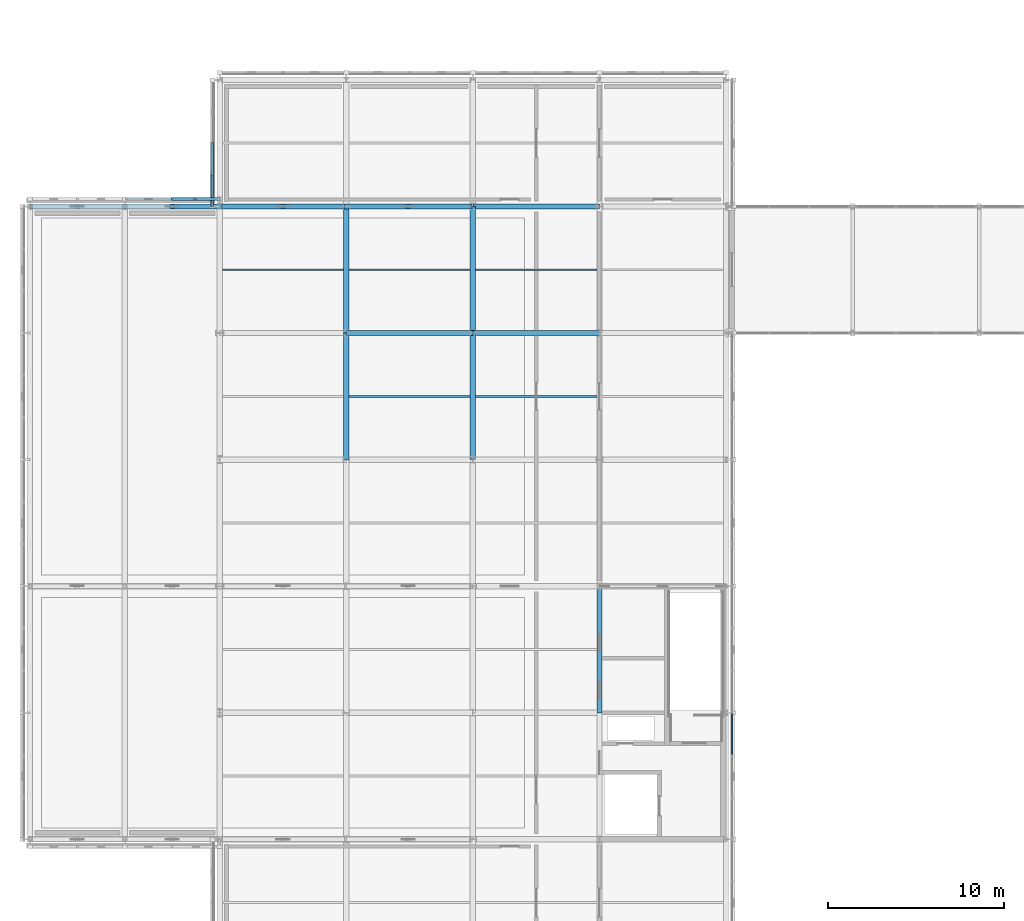
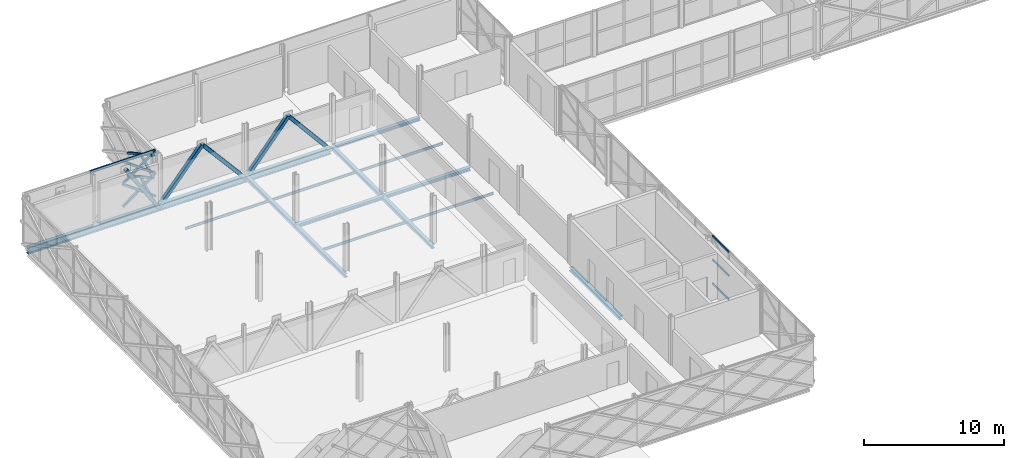
# One storey, part 46 of 103: 19 members, 14 beams, 1 element without a shape of its own.
"""IFC4 building model written with IfcOpenShell, lengths in metres."""

from ifc_helpers import new_model, si_unit, direction, frame, origin, origin_2d, place, context, subcontext, project, spatial, rectangle, hollow_rectangle, i_section, extrude, material, material_profile, profile_set, type_object, element, aggregate, save


model = new_model("IFC4")

# Units and contexts
model_context = context("Model", 3, precision=1e-05, world=origin(), true_north=direction((0.0, 1.0)))
body_context = subcontext(model_context, "Body", "Model", "MODEL_VIEW")
ifc_project = project(units=[si_unit("LENGTHUNIT", "METRE"), si_unit("AREAUNIT", "SQUARE_METRE"), si_unit("VOLUMEUNIT", "CUBIC_METRE"), si_unit("PLANEANGLEUNIT", "RADIAN"), si_unit("MASSUNIT", "GRAM", prefix="KILO")], contexts=[model_context])

# Site, building, storey
site_placement = place(None, origin())
site = spatial("IfcSite", under=ifc_project, at=site_placement, CompositionType="ELEMENT")
building_placement = place(site_placement, origin())
building = spatial("IfcBuilding", under=site, at=building_placement, Name="Zlatovets Crest Museum", CompositionType="ELEMENT")
storey_placement = place(building_placement, frame((0.0, 0.0, 12.89990234375)))
storey = spatial("IfcBuildingStorey", under=building, at=storey_placement, Name="L03", CompositionType="ELEMENT", Elevation=12.89990234375)

# Beams
ifc_material_1 = material(Name="Structural steel S355J2", Category="steel")
ifc_material_profile_1 = material_profile(ifc_material_1, i_section(OverallWidth=0.300048828125, OverallDepth=0.31005859375, WebThickness=0.009033203125, FlangeThickness=0.015380859375, FilletRadius=0.027099609375, at=origin_2d()), Name="HEA 320")
ifc_profile_set_1 = profile_set([ifc_material_profile_1], Name="Structural steel S355J2")
beam_type_1 = type_object("IfcBeamType", Name="Beam_B-04", PredefinedType="BEAM", material=ifc_profile_set_1)
beam_1_placement = place(storey_placement, frame((14.39990234375, 79.199951171875, -0.39501953125), z_axis=(0.0, 1.0, 0.0), x_axis=(-1.0, 0.0, 0.0)))
element("IfcBeam", 1, at=beam_1_placement, inside=storey, type_object=beam_type_1, Name="V4 L03 Grid Beam B-04", PredefinedType="BEAM", context=body_context, shape_type="SweptSolid", body=[
    extrude(i_section(OverallWidth=0.300048828125, OverallDepth=0.31005859375, WebThickness=0.009033203125, FlangeThickness=0.015380859375, FilletRadius=0.027099609375, at=origin_2d()), origin(), (0.0, 0.0, 1.0), 7.199951171875),
])
beam_2_placement = place(storey_placement, frame((14.39990234375, 86.39990234375, -0.39501953125), z_axis=(0.0, 1.0, 0.0), x_axis=(-1.0, 0.0, 0.0)))
element("IfcBeam", 2, at=beam_2_placement, inside=storey, type_object=beam_type_1, Name="V4 L03 Grid Beam B-04", PredefinedType="BEAM", context=body_context, shape_type="SweptSolid", body=[
    extrude(i_section(OverallWidth=0.300048828125, OverallDepth=0.31005859375, WebThickness=0.009033203125, FlangeThickness=0.015380859375, FilletRadius=0.027099609375, at=origin_2d()), origin(), (0.0, 0.0, 1.0), 7.2001953125),
])
beam_3_placement = place(storey_placement, frame((21.60009765625, 79.199951171875, -0.39501953125), z_axis=(0.0, 1.0, 0.0), x_axis=(-1.0, 0.0, 0.0)))
element("IfcBeam", 3, at=beam_3_placement, inside=storey, type_object=beam_type_1, Name="V4 L03 Grid Beam B-04", PredefinedType="BEAM", context=body_context, shape_type="SweptSolid", body=[
    extrude(i_section(OverallWidth=0.300048828125, OverallDepth=0.31005859375, WebThickness=0.009033203125, FlangeThickness=0.015380859375, FilletRadius=0.027099609375, at=origin_2d()), origin(), (0.0, 0.0, 1.0), 7.199951171875),
])
beam_4_placement = place(storey_placement, frame((21.60009765625, 86.39990234375, -0.39501953125), z_axis=(0.0, 1.0, 0.0), x_axis=(-1.0, 0.0, 0.0)))
element("IfcBeam", 4, at=beam_4_placement, inside=storey, type_object=beam_type_1, Name="V4 L03 Grid Beam B-04", PredefinedType="BEAM", context=body_context, shape_type="SweptSolid", body=[
    extrude(i_section(OverallWidth=0.300048828125, OverallDepth=0.31005859375, WebThickness=0.009033203125, FlangeThickness=0.015380859375, FilletRadius=0.027099609375, at=origin_2d()), origin(), (0.0, 0.0, 1.0), 7.2001953125),
])
beam_5_placement = place(storey_placement, frame((28.800048828125, 64.800048828125, -0.39501953125), z_axis=(0.0, 1.0, 0.0), x_axis=(-1.0, 0.0, 0.0)))
element("IfcBeam", 5, at=beam_5_placement, inside=storey, type_object=beam_type_1, Name="V4 L03 Grid Beam B-04", PredefinedType="BEAM", context=body_context, shape_type="SweptSolid", body=[
    extrude(i_section(OverallWidth=0.300048828125, OverallDepth=0.31005859375, WebThickness=0.009033203125, FlangeThickness=0.015380859375, FilletRadius=0.027099609375, at=origin_2d()), origin(), (0.0, 0.0, 1.0), 7.199951171875),
])
ifc_material_profile_2 = material_profile(ifc_material_1, i_section(OverallWidth=0.300048828125, OverallDepth=0.590087890625, WebThickness=0.012939453125, FlangeThickness=0.02490234375, FilletRadius=0.027099609375, at=origin_2d()), Name="HEA 600")
ifc_profile_set_2 = profile_set([ifc_material_profile_2], Name="Structural steel S355J2")
beam_type_2 = type_object("IfcBeamType", Name="Beam_B-07", PredefinedType="BEAM", material=ifc_profile_set_2)
beam_6_placement = place(storey_placement, frame((-3.60009765625, 93.60009765625, -0.58984375), z_axis=(1.0, 0.0, 0.0), x_axis=(0.0, 1.0, 0.0)))
element("IfcBeam", 6, at=beam_6_placement, inside=storey, type_object=beam_type_2, Name="Cantilever Transfer Truss TT-3 L03 Mid Chord", PredefinedType="BEAM", context=body_context, shape_type="SweptSolid", body=[
    extrude(i_section(OverallWidth=0.300048828125, OverallDepth=0.590087890625, WebThickness=0.012939453125, FlangeThickness=0.02490234375, FilletRadius=0.027099609375, at=origin_2d()), origin(), (0.0, 0.0, 1.0), 25.0400390625),
])
ifc_material_profile_3 = material_profile(ifc_material_1, i_section(OverallWidth=0.300048828125, OverallDepth=0.2900390625, WebThickness=0.008544921875, FlangeThickness=0.013916015625, FilletRadius=0.027099609375, at=origin_2d()), Name="HEA 300")
ifc_profile_set_3 = profile_set([ifc_material_profile_3], Name="Structural steel S355J2")
beam_type_3 = type_object("IfcBeamType", Name="Beam_B-12", PredefinedType="BEAM", material=ifc_profile_set_3)
beam_7_placement = place(storey_placement, frame((14.39990234375, 86.39990234375, -0.385009765625), z_axis=(1.0, 0.0, 0.0), x_axis=(0.0, 1.0, 0.0)))
element("IfcBeam", 7, at=beam_7_placement, inside=storey, type_object=beam_type_3, Name="V4 L03 Primary Girder B-12", PredefinedType="BEAM", context=body_context, shape_type="SweptSolid", body=[
    extrude(i_section(OverallWidth=0.300048828125, OverallDepth=0.2900390625, WebThickness=0.008544921875, FlangeThickness=0.013916015625, FilletRadius=0.027099609375, at=origin_2d()), origin(), (0.0, 0.0, 1.0), 7.2001953125),
])
for number, where, z_axis, x_axis, name in (
    (8, (21.60009765625, 86.39990234375, -0.385009765625), (1.0, 0.0, 0.0), (0.0, 1.0, 0.0), "V4 L03 Primary Girder B-12"),
    (9, (21.60009765625, 93.60009765625, -0.385009765625), (1.0, 0.0, 0.0), (0.0, 1.0, 0.0), "V4 L03 Primary Girder B-12"),
):
    element("IfcBeam", number, at=place(storey_placement, frame(where, z_axis=z_axis, x_axis=x_axis)), inside=storey, type_object=beam_type_3, Name=name, PredefinedType="BEAM", context=body_context, shape_type="SweptSolid", body=[
        extrude(i_section(OverallWidth=0.300048828125, OverallDepth=0.2900390625, WebThickness=0.008544921875, FlangeThickness=0.013916015625, FilletRadius=0.027099609375, at=origin_2d()), origin(), (0.0, 0.0, 1.0), 7.199951171875),
    ])
ifc_material_profile_4 = material_profile(ifc_material_1, i_section(OverallWidth=0.110107421875, OverallDepth=0.219970703125, WebThickness=0.005859375, FlangeThickness=0.00927734375, FilletRadius=0.011962890625, at=origin_2d()), Name="IPE 220")
ifc_profile_set_4 = profile_set([ifc_material_profile_4], Name="Structural steel S355J2")
beam_type_4 = type_object("IfcBeamType", Name="Beam_J-10", PredefinedType="JOIST", material=ifc_profile_set_4)
for number, where, z_axis, x_axis, name in (
    (10, (7.35009765625, 90.0, -0.349853515625), (1.0, 0.0, 0.0), (0.0, 1.0, 0.0), "V4 L03 Composite Joist J-10"),
    (11, (14.550048828125, 82.800048828125, -0.349853515625), (1.0, 0.0, 0.0), (0.0, 1.0, 0.0), "V4 L03 Composite Joist J-10"),
    (12, (14.550048828125, 90.0, -0.349853515625), (1.0, 0.0, 0.0), (0.0, 1.0, 0.0), "V4 L03 Composite Joist J-10"),
    (13, (21.75, 82.800048828125, -0.349853515625), (1.0, 0.0, 0.0), (0.0, 1.0, 0.0), "V4 L03 Composite Joist J-10"),
    (14, (21.75, 90.0, -0.349853515625), (1.0, 0.0, 0.0), (0.0, 1.0, 0.0), "V4 L03 Composite Joist J-10"),
):
    element("IfcBeam", number, at=place(storey_placement, frame(where, z_axis=z_axis, x_axis=x_axis)), inside=storey, type_object=beam_type_4, Name=name, PredefinedType="JOIST", context=body_context, shape_type="SweptSolid", body=[
        extrude(i_section(OverallWidth=0.110107421875, OverallDepth=0.219970703125, WebThickness=0.005859375, FlangeThickness=0.00927734375, FilletRadius=0.011962890625, at=origin_2d()), origin(), (0.0, 0.0, 1.0), 6.89990234375),
    ])

# Curtain wall, members
ifc_material_2 = material(Name="Bronze-anodised aluminium and low-E triple glass", Category="aluminium")
curtain_wall_type = type_object("IfcCurtainWallType", Name="CW_CW-V4-L03-M1", PredefinedType="NOTDEFINED", material=ifc_material_2)
curtain_wall_placement = place(storey_placement, origin())
curtain_wall = element("IfcCurtainWall", 15, at=curtain_wall_placement, inside=storey, type_object=curtain_wall_type, Name="V4 L03 Expressed Core Glazed Facade", PredefinedType="NOTDEFINED")
ifc_material_3 = material(Name="Bronze-anodised aluminium EN AW-6060", Category="aluminium")
ifc_material_profile_5 = material_profile(ifc_material_3, rectangle(XDim=0.080078125, YDim=0.159912109375, at=origin_2d()), Name="ALU 80x160")
ifc_profile_set_5 = profile_set([ifc_material_profile_5], Name="Bronze-anodised aluminium EN AW-6060")
member_type_1 = type_object("IfcMemberType", Name="CWTrans_T1", PredefinedType="USERDEFINED", material=ifc_profile_set_5)
member_1_placement = place(storey_placement, frame((36.340087890625, 62.429931640625, 0.030029296875), z_axis=(0.0, 1.0, 0.0), x_axis=(-1.0, 0.0, 0.0)))
member_1 = element("IfcMember", 16, at=member_1_placement, type_object=member_type_1, Name="CW-V4-L03-M1 transom 3.1", ObjectType="TRANSOM", PredefinedType="USERDEFINED", context=body_context, shape_type="SweptSolid", body=[
    extrude(rectangle(XDim=0.080078125, YDim=0.159912109375, at=origin_2d()), origin(), (0.0, 0.0, 1.0), 2.31005859375),
])
member_2_placement = place(storey_placement, frame((36.340087890625, 62.429931640625, 2.10009765625), z_axis=(0.0, 1.0, 0.0), x_axis=(-1.0, 0.0, 0.0)))
member_2 = element("IfcMember", 17, at=member_2_placement, type_object=member_type_1, Name="CW-V4-L03-M1 transom 3.2", ObjectType="TRANSOM", PredefinedType="USERDEFINED", context=body_context, shape_type="SweptSolid", body=[
    extrude(rectangle(XDim=0.080078125, YDim=0.159912109375, at=origin_2d()), origin(), (0.0, 0.0, 1.0), 2.31005859375),
])
member_3_placement = place(storey_placement, frame((36.340087890625, 62.429931640625, 4.170166015625), z_axis=(0.0, 1.0, 0.0), x_axis=(-1.0, 0.0, 0.0)))
member_3 = element("IfcMember", 18, at=member_3_placement, type_object=member_type_1, Name="CW-V4-L03-M1 transom 3.3", ObjectType="TRANSOM", PredefinedType="USERDEFINED", context=body_context, shape_type="SweptSolid", body=[
    extrude(rectangle(XDim=0.080078125, YDim=0.159912109375, at=origin_2d()), origin(), (0.0, 0.0, 1.0), 2.31005859375),
])
aggregate(curtain_wall, [member_1, member_2, member_3])

# Members
ifc_material_4 = material(Name="Weathering bronze-steel S355J2W", Category="steel")
ifc_material_profile_6 = material_profile(ifc_material_4, hollow_rectangle(XDim=0.179931640625, YDim=0.179931640625, WallThickness=0.010009765625, InnerFilletRadius=0.010009765625, OuterFilletRadius=0.02001953125, at=origin_2d()), Name="SHS 180x180x10.0")
ifc_profile_set_6 = profile_set([ifc_material_profile_6], Name="Weathering bronze-steel S355J2W")
member_type_2 = type_object("IfcMemberType", Name="Lattice_XL-01", PredefinedType="BRACE", material=ifc_profile_set_6)
member_4_placement = place(storey_placement, frame((6.780029296875, 97.199951171875, 0.10009765625), z_axis=(0.0, -0.874148886685, 0.485658031857), x_axis=(1.0, 0.0, 0.0)))
element("IfcMember", 19, at=member_4_placement, inside=storey, type_object=member_type_2, Name="Continuous Bronze Lattice Diagonal", PredefinedType="BRACE", context=body_context, shape_type="SweptSolid", body=[
    extrude(hollow_rectangle(XDim=0.179931640625, YDim=0.179931640625, WallThickness=0.010009765625, InnerFilletRadius=0.010009765625, OuterFilletRadius=0.02001953125, at=origin_2d()), origin(), (0.0, 0.0, 1.0), 4.1181640625),
])
member_5_placement = place(storey_placement, frame((6.780029296875, 95.31689453125, 1.053955078125), z_axis=(0.0, -0.874139684676, -0.48567459443), x_axis=(1.0, 0.0, 0.0)))
element("IfcMember", 20, at=member_5_placement, inside=storey, type_object=member_type_2, Name="Split Crossing Bronze Lattice Diagonal Lower", PredefinedType="BRACE", context=body_context, shape_type="SweptSolid", body=[
    extrude(hollow_rectangle(XDim=0.179931640625, YDim=0.179931640625, WallThickness=0.010009765625, InnerFilletRadius=0.010009765625, OuterFilletRadius=0.02001953125, at=origin_2d()), origin(), (0.0, 0.0, 1.0), 1.9638671875),
])
member_6_placement = place(storey_placement, frame((6.780029296875, 97.199951171875, 2.10009765625), z_axis=(0.0, -0.874148886685, 0.485658031857), x_axis=(1.0, 0.0, 0.0)))
element("IfcMember", 21, at=member_6_placement, inside=storey, type_object=member_type_2, Name="Continuous Bronze Lattice Diagonal", PredefinedType="BRACE", context=body_context, shape_type="SweptSolid", body=[
    extrude(hollow_rectangle(XDim=0.179931640625, YDim=0.179931640625, WallThickness=0.010009765625, InnerFilletRadius=0.010009765625, OuterFilletRadius=0.02001953125, at=origin_2d()), origin(), (0.0, 0.0, 1.0), 4.1181640625),
])
member_7_placement = place(storey_placement, frame((6.780029296875, 95.31689453125, 3.053955078125), z_axis=(0.0, -0.874139684676, -0.48567459443), x_axis=(1.0, 0.0, 0.0)))
element("IfcMember", 22, at=member_7_placement, inside=storey, type_object=member_type_2, Name="Split Crossing Bronze Lattice Diagonal Lower", PredefinedType="BRACE", context=body_context, shape_type="SweptSolid", body=[
    extrude(hollow_rectangle(XDim=0.179931640625, YDim=0.179931640625, WallThickness=0.010009765625, InnerFilletRadius=0.010009765625, OuterFilletRadius=0.02001953125, at=origin_2d()), origin(), (0.0, 0.0, 1.0), 1.9638671875),
])
member_8_placement = place(storey_placement, frame((7.199951171875, 94.02001953125, 0.10009765625), z_axis=(-0.803552044655, 0.0, 0.595234501294), x_axis=(0.0, -1.0, 0.0)))
element("IfcMember", 23, at=member_8_placement, inside=storey, type_object=member_type_2, Name="Continuous Bronze Lattice Diagonal", PredefinedType="BRACE", context=body_context, shape_type="SweptSolid", body=[
    extrude(hollow_rectangle(XDim=0.179931640625, YDim=0.179931640625, WallThickness=0.010009765625, InnerFilletRadius=0.010009765625, OuterFilletRadius=0.02001953125, at=origin_2d()), origin(), (0.0, 0.0, 1.0), 3.360107421875),
])
for number, where, z_axis, x_axis, name in (
    (24, (7.199951171875, 94.02001953125, 2.10009765625), (-0.803516265271, 0.0, -0.595282799554), (0.0, -1.0, 0.0), "Split Crossing Bronze Lattice Diagonal Upper"),
    (25, (5.773681640625, 94.02001953125, 1.043701171875), (-0.803516265271, 0.0, -0.595282799554), (0.0, -1.0, 0.0), "Split Crossing Bronze Lattice Diagonal Lower"),
):
    element("IfcMember", number, at=place(storey_placement, frame(where, z_axis=z_axis, x_axis=x_axis)), inside=storey, type_object=member_type_2, Name=name, PredefinedType="BRACE", context=body_context, shape_type="SweptSolid", body=[
        extrude(hollow_rectangle(XDim=0.179931640625, YDim=0.179931640625, WallThickness=0.010009765625, InnerFilletRadius=0.010009765625, OuterFilletRadius=0.02001953125, at=origin_2d()), origin(), (0.0, 0.0, 1.0), 1.585205078125),
    ])
member_9_placement = place(storey_placement, frame((7.199951171875, 94.02001953125, 2.10009765625), z_axis=(-0.803552044655, 0.0, 0.595234501294), x_axis=(0.0, -1.0, 0.0)))
element("IfcMember", 26, at=member_9_placement, inside=storey, type_object=member_type_2, Name="Continuous Bronze Lattice Diagonal", PredefinedType="BRACE", context=body_context, shape_type="SweptSolid", body=[
    extrude(hollow_rectangle(XDim=0.179931640625, YDim=0.179931640625, WallThickness=0.010009765625, InnerFilletRadius=0.010009765625, OuterFilletRadius=0.02001953125, at=origin_2d()), origin(), (0.0, 0.0, 1.0), 3.360107421875),
])
for number, where, z_axis, x_axis, name in (
    (27, (7.199951171875, 94.02001953125, 4.10009765625), (-0.803516265271, 0.0, -0.595282799554), (0.0, -1.0, 0.0), "Split Crossing Bronze Lattice Diagonal Upper"),
    (28, (5.773681640625, 94.02001953125, 3.043701171875), (-0.803516265271, 0.0, -0.595282799554), (0.0, -1.0, 0.0), "Split Crossing Bronze Lattice Diagonal Lower"),
):
    element("IfcMember", number, at=place(storey_placement, frame(where, z_axis=z_axis, x_axis=x_axis)), inside=storey, type_object=member_type_2, Name=name, PredefinedType="BRACE", context=body_context, shape_type="SweptSolid", body=[
        extrude(hollow_rectangle(XDim=0.179931640625, YDim=0.179931640625, WallThickness=0.010009765625, InnerFilletRadius=0.010009765625, OuterFilletRadius=0.02001953125, at=origin_2d()), origin(), (0.0, 0.0, 1.0), 1.585205078125),
    ])
ifc_material_profile_7 = material_profile(ifc_material_4, hollow_rectangle(XDim=0.1201171875, YDim=0.239990234375, WallThickness=0.010009765625, InnerFilletRadius=0.010009765625, OuterFilletRadius=0.02001953125, at=origin_2d()), Name="RHS 120x240x10.0")
ifc_profile_set_7 = profile_set([ifc_material_profile_7], Name="Weathering bronze-steel S355J2W")
member_type_3 = type_object("IfcMemberType", Name="Lattice_XL-04", PredefinedType="CHORD", material=ifc_profile_set_7)
member_10_placement = place(storey_placement, frame((7.199951171875, 94.02001953125, 4.10009765625), z_axis=(-1.0, 0.0, 0.0), x_axis=(0.0, -1.0, 0.0)))
element("IfcMember", 29, at=member_10_placement, inside=storey, type_object=member_type_3, Name="Art Nouveau Woven Cage Collector Ring Chord", PredefinedType="CHORD", context=body_context, shape_type="SweptSolid", body=[
    extrude(hollow_rectangle(XDim=0.1201171875, YDim=0.239990234375, WallThickness=0.010009765625, InnerFilletRadius=0.010009765625, OuterFilletRadius=0.02001953125, at=origin_2d()), origin(), (0.0, 0.0, 1.0), 5.39990234375),
])
ifc_material_profile_8 = material_profile(ifc_material_1, hollow_rectangle(XDim=0.300048828125, YDim=0.300048828125, WallThickness=0.01611328125, InnerFilletRadius=0.01611328125, OuterFilletRadius=0.031982421875, at=origin_2d()), Name="SHS 300x300x16.0")
ifc_profile_set_8 = profile_set([ifc_material_profile_8], Name="Structural steel S355J2")
member_type_4 = type_object("IfcMemberType", Name="Member_TM-08", PredefinedType="BRACE", material=ifc_profile_set_8)
member_11_placement = place(storey_placement, frame((4.5, 93.60009765625, 3.630126953125), z_axis=(0.538936146087, 0.0, -0.842346621315), x_axis=(0.0, 1.0, 0.0)))
element("IfcMember", 30, at=member_11_placement, inside=storey, type_object=member_type_4, Name="Transfer Truss TT-3 Web Diagonal", PredefinedType="BRACE", context=body_context, shape_type="SweptSolid", body=[
    extrude(hollow_rectangle(XDim=0.300048828125, YDim=0.300048828125, WallThickness=0.01611328125, InnerFilletRadius=0.01611328125, OuterFilletRadius=0.031982421875, at=origin_2d()), origin(), (0.0, 0.0, 1.0), 5.009765625),
])
for number, where, z_axis, x_axis, name in (
    (31, (7.199951171875, 93.60009765625, -0.58984375), (0.649020788736, 0.0, 0.760770672271), (0.0, 1.0, 0.0), "Transfer Truss TT-3 Web Diagonal"),
    (32, (10.800048828125, 93.60009765625, 3.630126953125), (0.648995313952, 0.0, -0.760792404318), (0.0, 1.0, 0.0), "Transfer Truss TT-3 Web Diagonal"),
):
    element("IfcMember", number, at=place(storey_placement, frame(where, z_axis=z_axis, x_axis=x_axis)), inside=storey, type_object=member_type_4, Name=name, PredefinedType="BRACE", context=body_context, shape_type="SweptSolid", body=[
        extrude(hollow_rectangle(XDim=0.300048828125, YDim=0.300048828125, WallThickness=0.01611328125, InnerFilletRadius=0.01611328125, OuterFilletRadius=0.031982421875, at=origin_2d()), origin(), (0.0, 0.0, 1.0), 5.546875),
    ])
for number, where, z_axis, x_axis, name in (
    (33, (14.39990234375, 93.60009765625, -0.58984375), (0.640547026603, 0.0, 0.767918945404), (0.0, 1.0, 0.0), "Transfer Truss TT-3 Web Diagonal"),
    (34, (17.919921875, 93.60009765625, 3.630126953125), (0.640547026603, 0.0, -0.767918945404), (0.0, 1.0, 0.0), "Transfer Truss TT-3 Web Diagonal"),
):
    element("IfcMember", number, at=place(storey_placement, frame(where, z_axis=z_axis, x_axis=x_axis)), inside=storey, type_object=member_type_4, Name=name, PredefinedType="BRACE", context=body_context, shape_type="SweptSolid", body=[
        extrude(hollow_rectangle(XDim=0.300048828125, YDim=0.300048828125, WallThickness=0.01611328125, InnerFilletRadius=0.01611328125, OuterFilletRadius=0.031982421875, at=origin_2d()), origin(), (0.0, 0.0, 1.0), 5.495361328125),
    ])

save(model, "model.ifc")
